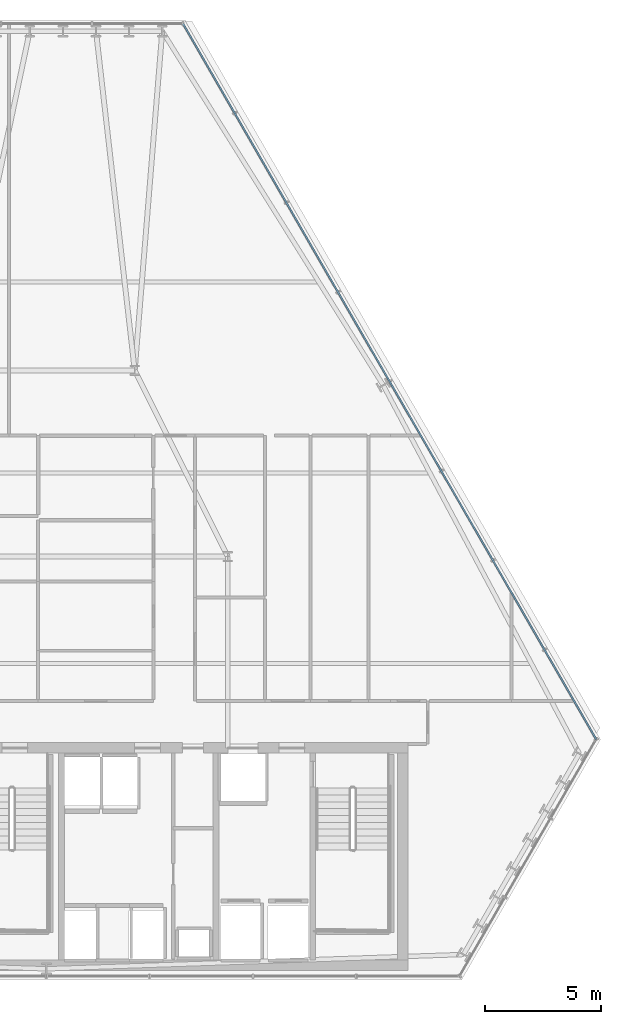
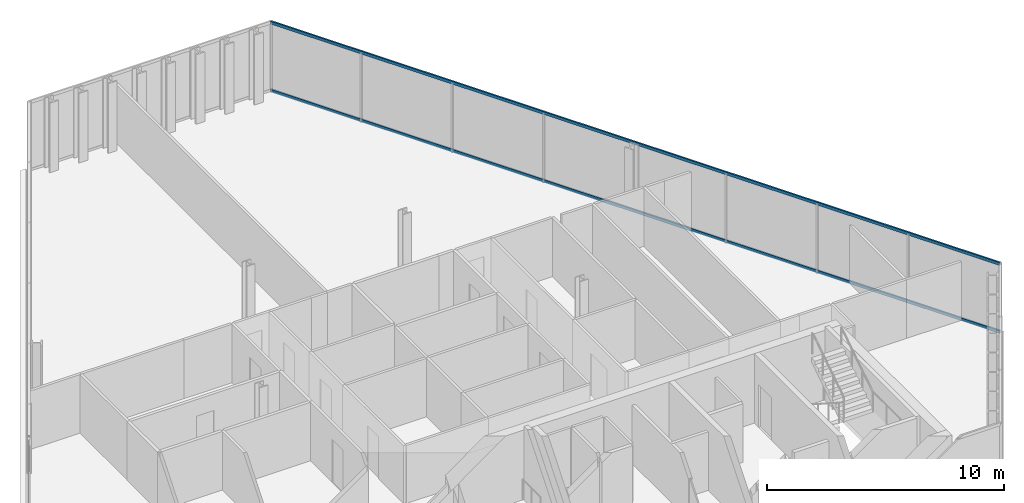
# One storey, part 18 of 31: 2 members, 1 element without a shape of its own.
"""IFC4 building model written with IfcOpenShell, lengths in metres."""

from ifc_helpers import new_model, si_unit, direction, frame, origin, origin_2d, place, context, subcontext, project, spatial, hollow_rectangle, extrude, material, layer, layer_set, material_profile, profile_set, type_object, element, aggregate, save


model = new_model("IFC4")

# Units and contexts
model_context = context("Model", 3, precision=1e-05, world=origin(), true_north=direction((0.0, 1.0)))
body_context = subcontext(model_context, "Body", "Model", "MODEL_VIEW")
ifc_project = project(units=[si_unit("LENGTHUNIT", "METRE"), si_unit("AREAUNIT", "SQUARE_METRE"), si_unit("VOLUMEUNIT", "CUBIC_METRE"), si_unit("PLANEANGLEUNIT", "RADIAN"), si_unit("MASSUNIT", "GRAM", prefix="KILO")], contexts=[model_context])

# Site, building, storey
site_placement = place(None, origin())
site = spatial("IfcSite", under=ifc_project, at=site_placement, CompositionType="ELEMENT")
building_placement = place(site_placement, origin())
building = spatial("IfcBuilding", under=site, at=building_placement, Name="Ndaravel Arena Tower", CompositionType="ELEMENT")
storey_placement = place(building_placement, frame((0.0, 0.0, 138.39990234375)))
storey = spatial("IfcBuildingStorey", under=building, at=storey_placement, Name="L32", CompositionType="ELEMENT", Elevation=138.39990234375)

# Curtain wall, members
ifc_material_1 = material(Name="Aluminium", Category="aluminium")
ifc_layer = layer(ifc_material_1, 0.179931640625)
ifc_layer_set = layer_set([ifc_layer], Name="Aluminium")
curtain_wall_type = type_object("IfcCurtainWallType", Name="CW-SYS-03", PredefinedType="NOTDEFINED", material=ifc_layer_set)
curtain_wall_placement = place(storey_placement, origin())
curtain_wall = element("IfcCurtainWall", 1, at=curtain_wall_placement, inside=storey, type_object=curtain_wall_type, Name="L32 Faceted Crystal Curtain Wall CW-L32-E03", PredefinedType="NOTDEFINED")
ifc_material_2 = material(Name="Aluminium", Category="aluminium")
ifc_material_profile = material_profile(ifc_material_2, hollow_rectangle(XDim=0.074951171875, YDim=0.14990234375, WallThickness=0.00390625, at=origin_2d()), Name="CW TRANSOM 75x150x4")
ifc_profile_set = profile_set([ifc_material_profile], Name="Aluminium")
member_type = type_object("IfcMemberType", Name="MEM-CW-TRN150", PredefinedType="USERDEFINED", material=ifc_profile_set)
member_1_placement = place(storey_placement, frame((65.639404296875, 15.34326171875, 0.0400390625), z_axis=(-0.499994154718, 0.866028778533, 0.0), x_axis=(-0.866028778533, -0.499994154718, 0.0)))
member_1 = element("IfcMember", 2, at=member_1_placement, type_object=member_type, Name="CW-L32-E03 Transom 01", ObjectType="TRANSOM", PredefinedType="USERDEFINED", context=body_context, shape_type="SweptSolid", body=[
    extrude(hollow_rectangle(XDim=0.074951171875, YDim=0.14990234375, WallThickness=0.00390625, at=origin_2d()), origin(), (0.0, 0.0, 1.0), 35.5205078125),
])
member_2_placement = place(storey_placement, frame((65.639404296875, 15.34326171875, 3.5400390625), z_axis=(-0.499994154718, 0.866028778533, 0.0), x_axis=(-0.866028778533, -0.499994154718, 0.0)))
member_2 = element("IfcMember", 3, at=member_2_placement, type_object=member_type, Name="CW-L32-E03 Transom 02", ObjectType="TRANSOM", PredefinedType="USERDEFINED", context=body_context, shape_type="SweptSolid", body=[
    extrude(hollow_rectangle(XDim=0.074951171875, YDim=0.14990234375, WallThickness=0.00390625, at=origin_2d()), origin(), (0.0, 0.0, 1.0), 35.5205078125),
])
aggregate(curtain_wall, [member_1, member_2])

save(model, "model.ifc")
